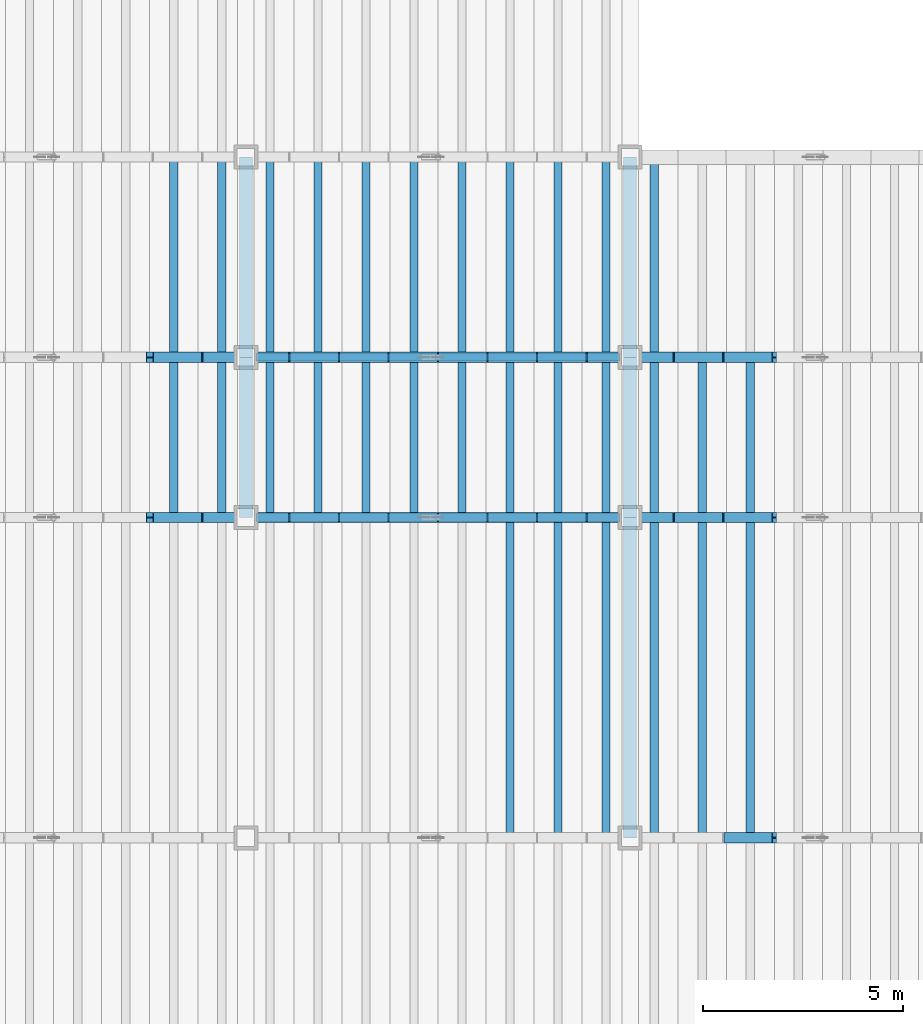
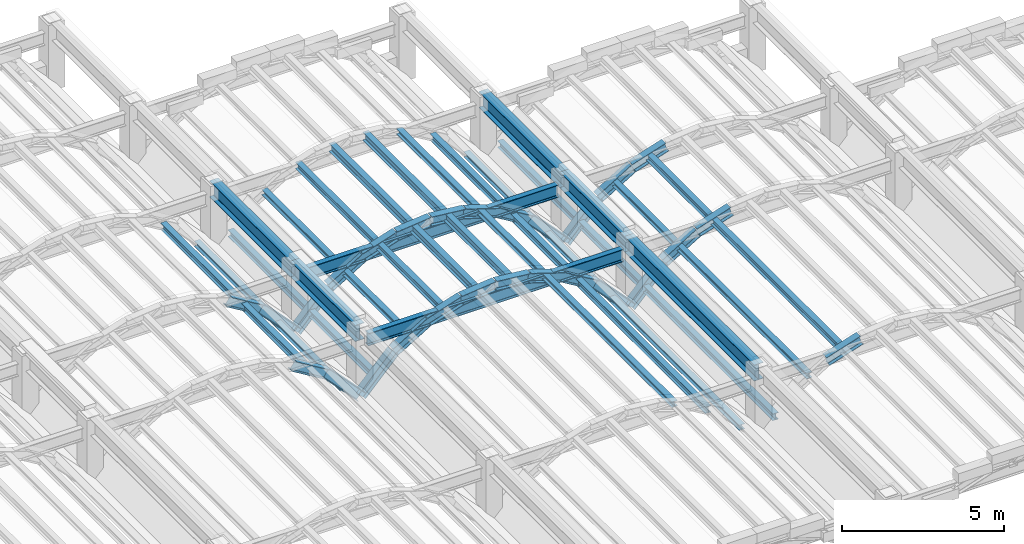
# One storey, part 25 of 70: 57 members, 7 beams.
"""IFC4 building model written with IfcOpenShell, lengths in metres."""

from ifc_helpers import new_model, si_unit, direction, frame, origin, origin_2d, place, context, subcontext, project, spatial, i_section, extrude, material, material_profile, profile_set, type_object, element, save


model = new_model("IFC4")

# Units and contexts
model_context = context("Model", 3, precision=1e-05, world=origin(), true_north=direction((0.0, 1.0)))
body_context = subcontext(model_context, "Body", "Model", "MODEL_VIEW")
ifc_project = project(units=[si_unit("LENGTHUNIT", "METRE"), si_unit("AREAUNIT", "SQUARE_METRE"), si_unit("VOLUMEUNIT", "CUBIC_METRE"), si_unit("PLANEANGLEUNIT", "RADIAN"), si_unit("MASSUNIT", "GRAM", prefix="KILO")], contexts=[model_context])

# Site, building, storey
site_placement = place(None, origin())
site = spatial("IfcSite", under=ifc_project, at=site_placement, CompositionType="ELEMENT")
building_placement = place(site_placement, origin())
building = spatial("IfcBuilding", under=site, at=building_placement, Name="Mavantir Sound Aquarium", CompositionType="ELEMENT")
storey_placement = place(building_placement, frame((0.0, 0.0, 27.0)))
storey = spatial("IfcBuildingStorey", under=building, at=storey_placement, Name="RF", CompositionType="ELEMENT", Elevation=27.0)

# Beams
ifc_material = material(Name="Structural Steel ASTM A992 Gr50", Category="steel")
ifc_material_profile_1 = material_profile(ifc_material, i_section(OverallWidth=0.194091796875, OverallDepth=0.468994140625, WebThickness=0.0126953125, FlangeThickness=0.0205078125, FilletRadius=0.01611328125, at=origin_2d()), Name="W460X106")
ifc_profile_set_1 = profile_set([ifc_material_profile_1], Name="Structural Steel ASTM A992 Gr50")
beam_type_1 = type_object("IfcBeamType", Name="BM-W460X106-I", PredefinedType="BEAM", material=ifc_profile_set_1)
for number, where, z_axis, x_axis, name in (
    (1, (146.64990234375, 56.800048828125, -5.327392578125), (1.0, 0.0, 0.0), (0.0, 1.0, 0.0), "Scalloped bay 5 transverse tie girder 361"),
    (2, (146.64990234375, 60.800048828125, -5.327392578125), (1.0, 0.0, 0.0), (0.0, 1.0, 0.0), "Scalloped bay 5 transverse tie girder 371"),
):
    element("IfcBeam", number, at=place(storey_placement, frame(where, z_axis=z_axis, x_axis=x_axis)), inside=storey, type_object=beam_type_1, Name=name, PredefinedType="BEAM", context=body_context, shape_type="SweptSolid", body=[
        extrude(i_section(OverallWidth=0.194091796875, OverallDepth=0.468994140625, WebThickness=0.0126953125, FlangeThickness=0.0205078125, FilletRadius=0.01611328125, at=origin_2d()), origin(), (0.0, 0.0, 1.0), 9.10009765625),
    ])
ifc_material_profile_2 = material_profile(ifc_material, i_section(OverallWidth=0.323974609375, OverallDepth=0.611083984375, WebThickness=0.0126953125, FlangeThickness=0.01904296875, FilletRadius=0.01904296875, at=origin_2d()), Name="W610X155")
ifc_profile_set_2 = profile_set([ifc_material_profile_2], Name="Structural Steel ASTM A992 Gr50")
beam_type_2 = type_object("IfcBeamType", Name="BM-W610X155-E", PredefinedType="BEAM", material=ifc_profile_set_2)
beam_1_placement = place(storey_placement, frame((146.39990234375, 56.800048828125, -5.0048828125), z_axis=(0.0, 1.0, 0.0), x_axis=(-1.0, 0.0, 0.0)))
element("IfcBeam", 3, at=beam_1_placement, inside=storey, type_object=beam_type_2, Name="Scalloped roof straight ridge beam 36", PredefinedType="BEAM", context=body_context, shape_type="SweptSolid", body=[
    extrude(i_section(OverallWidth=0.323974609375, OverallDepth=0.611083984375, WebThickness=0.0126953125, FlangeThickness=0.01904296875, FilletRadius=0.01904296875, at=origin_2d()), origin(), (0.0, 0.0, 1.0), 4.0),
])
beam_2_placement = place(storey_placement, frame((146.39990234375, 60.800048828125, -5.0048828125), z_axis=(0.0, 1.0, 0.0), x_axis=(-1.0, 0.0, 0.0)))
element("IfcBeam", 4, at=beam_2_placement, inside=storey, type_object=beam_type_2, Name="Scalloped roof straight ridge beam 37", PredefinedType="BEAM", context=body_context, shape_type="SweptSolid", body=[
    extrude(i_section(OverallWidth=0.323974609375, OverallDepth=0.611083984375, WebThickness=0.0126953125, FlangeThickness=0.01904296875, FilletRadius=0.01904296875, at=origin_2d()), origin(), (0.0, 0.0, 1.0), 5.0),
])
beam_3_placement = place(storey_placement, frame((156.0, 48.800048828125, -5.0048828125), z_axis=(0.0, 1.0, 0.0), x_axis=(-1.0, 0.0, 0.0)))
element("IfcBeam", 5, at=beam_3_placement, inside=storey, type_object=beam_type_2, Name="Scalloped roof straight ridge beam 41", PredefinedType="BEAM", context=body_context, shape_type="SweptSolid", body=[
    extrude(i_section(OverallWidth=0.323974609375, OverallDepth=0.611083984375, WebThickness=0.0126953125, FlangeThickness=0.01904296875, FilletRadius=0.01904296875, at=origin_2d()), origin(), (0.0, 0.0, 1.0), 8.0),
])
beam_4_placement = place(storey_placement, frame((156.0, 56.800048828125, -5.0048828125), z_axis=(0.0, 1.0, 0.0), x_axis=(-1.0, 0.0, 0.0)))
element("IfcBeam", 6, at=beam_4_placement, inside=storey, type_object=beam_type_2, Name="Scalloped roof straight ridge beam 42", PredefinedType="BEAM", context=body_context, shape_type="SweptSolid", body=[
    extrude(i_section(OverallWidth=0.323974609375, OverallDepth=0.611083984375, WebThickness=0.0126953125, FlangeThickness=0.01904296875, FilletRadius=0.01904296875, at=origin_2d()), origin(), (0.0, 0.0, 1.0), 4.0),
])
beam_5_placement = place(storey_placement, frame((156.0, 60.800048828125, -5.0048828125), z_axis=(0.0, 1.0, 0.0), x_axis=(-1.0, 0.0, 0.0)))
element("IfcBeam", 7, at=beam_5_placement, inside=storey, type_object=beam_type_2, Name="Scalloped roof straight ridge beam 43", PredefinedType="BEAM", context=body_context, shape_type="SweptSolid", body=[
    extrude(i_section(OverallWidth=0.323974609375, OverallDepth=0.611083984375, WebThickness=0.0126953125, FlangeThickness=0.01904296875, FilletRadius=0.01904296875, at=origin_2d()), origin(), (0.0, 0.0, 1.0), 5.0),
])

# Members
ifc_material_profile_3 = material_profile(ifc_material, i_section(OverallWidth=0.202880859375, OverallDepth=0.202880859375, WebThickness=0.007080078125, FlangeThickness=0.010986328125, FilletRadius=0.010009765625, at=origin_2d()), Name="W200X46")
ifc_profile_set_3 = profile_set([ifc_material_profile_3], Name="Structural Steel ASTM A992 Gr50")
member_type_1 = type_object("IfcMemberType", Name="MEM-TR-W200", PredefinedType="PURLIN", material=ifc_profile_set_3)
member_1_placement = place(storey_placement, frame((145.800048828125, 56.800048828125, -6.881103515625), z_axis=(0.0, 1.0, 0.0), x_axis=(-1.0, 0.0, 0.0)))
element("IfcMember", 8, at=member_1_placement, inside=storey, type_object=member_type_1, Name="Scalloped bay 4 roof purlin 216", PredefinedType="PURLIN", context=body_context, shape_type="SweptSolid", body=[
    extrude(i_section(OverallWidth=0.202880859375, OverallDepth=0.202880859375, WebThickness=0.007080078125, FlangeThickness=0.010986328125, FilletRadius=0.010009765625, at=origin_2d()), origin(), (0.0, 0.0, 1.0), 4.0),
])
member_2_placement = place(storey_placement, frame((145.800048828125, 60.800048828125, -6.881103515625), z_axis=(0.0, 1.0, 0.0), x_axis=(-1.0, 0.0, 0.0)))
element("IfcMember", 9, at=member_2_placement, inside=storey, type_object=member_type_1, Name="Scalloped bay 4 roof purlin 224", PredefinedType="PURLIN", context=body_context, shape_type="SweptSolid", body=[
    extrude(i_section(OverallWidth=0.202880859375, OverallDepth=0.202880859375, WebThickness=0.007080078125, FlangeThickness=0.010986328125, FilletRadius=0.010009765625, at=origin_2d()), origin(), (0.0, 0.0, 1.0), 5.0),
])
for number, where, z_axis, x_axis, name in (
    (10, (153.0, 48.800048828125, -5.169921875), (0.0, 1.0, 0.0), (-1.0, 0.0, 0.0), "Scalloped bay 5 roof purlin 254"),
    (11, (155.39990234375, 48.800048828125, -6.881103515625), (0.0, 1.0, 0.0), (-1.0, 0.0, 0.0), "Scalloped bay 5 roof purlin 256"),
):
    element("IfcMember", number, at=place(storey_placement, frame(where, z_axis=z_axis, x_axis=x_axis)), inside=storey, type_object=member_type_1, Name=name, PredefinedType="PURLIN", context=body_context, shape_type="SweptSolid", body=[
        extrude(i_section(OverallWidth=0.202880859375, OverallDepth=0.202880859375, WebThickness=0.007080078125, FlangeThickness=0.010986328125, FilletRadius=0.010009765625, at=origin_2d()), origin(), (0.0, 0.0, 1.0), 8.0),
    ])
for number, where, z_axis, x_axis, name in (
    (12, (148.199951171875, 56.800048828125, -5.77978515625), (0.0, 1.0, 0.0), (-1.0, 0.0, 0.0), "Scalloped bay 5 roof purlin 258"),
    (13, (153.0, 56.800048828125, -5.169921875), (0.0, 1.0, 0.0), (-1.0, 0.0, 0.0), "Scalloped bay 5 roof purlin 262"),
    (14, (155.39990234375, 56.800048828125, -6.881103515625), (0.0, 1.0, 0.0), (-1.0, 0.0, 0.0), "Scalloped bay 5 roof purlin 264"),
):
    element("IfcMember", number, at=place(storey_placement, frame(where, z_axis=z_axis, x_axis=x_axis)), inside=storey, type_object=member_type_1, Name=name, PredefinedType="PURLIN", context=body_context, shape_type="SweptSolid", body=[
        extrude(i_section(OverallWidth=0.202880859375, OverallDepth=0.202880859375, WebThickness=0.007080078125, FlangeThickness=0.010986328125, FilletRadius=0.010009765625, at=origin_2d()), origin(), (0.0, 0.0, 1.0), 4.0),
    ])
for number, where, z_axis, x_axis, name in (
    (15, (148.199951171875, 60.800048828125, -5.77978515625), (0.0, 1.0, 0.0), (-1.0, 0.0, 0.0), "Scalloped bay 5 roof purlin 266"),
    (16, (153.0, 60.800048828125, -5.169921875), (0.0, 1.0, 0.0), (-1.0, 0.0, 0.0), "Scalloped bay 5 roof purlin 270"),
    (17, (155.39990234375, 60.800048828125, -6.881103515625), (0.0, 1.0, 0.0), (-1.0, 0.0, 0.0), "Scalloped bay 5 roof purlin 272"),
):
    element("IfcMember", number, at=place(storey_placement, frame(where, z_axis=z_axis, x_axis=x_axis)), inside=storey, type_object=member_type_1, Name=name, PredefinedType="PURLIN", context=body_context, shape_type="SweptSolid", body=[
        extrude(i_section(OverallWidth=0.202880859375, OverallDepth=0.202880859375, WebThickness=0.007080078125, FlangeThickness=0.010986328125, FilletRadius=0.010009765625, at=origin_2d()), origin(), (0.0, 0.0, 1.0), 5.0),
    ])
member_3_placement = place(storey_placement, frame((157.800048828125, 48.800048828125, -5.77978515625), z_axis=(0.0, 1.0, 0.0), x_axis=(-1.0, 0.0, 0.0)))
element("IfcMember", 18, at=member_3_placement, inside=storey, type_object=member_type_1, Name="Scalloped bay 6 roof purlin 290", PredefinedType="PURLIN", context=body_context, shape_type="SweptSolid", body=[
    extrude(i_section(OverallWidth=0.202880859375, OverallDepth=0.202880859375, WebThickness=0.007080078125, FlangeThickness=0.010986328125, FilletRadius=0.010009765625, at=origin_2d()), origin(), (0.0, 0.0, 1.0), 8.0),
])
member_4_placement = place(storey_placement, frame((157.800048828125, 56.800048828125, -5.77978515625), z_axis=(0.0, 1.0, 0.0), x_axis=(-1.0, 0.0, 0.0)))
element("IfcMember", 19, at=member_4_placement, inside=storey, type_object=member_type_1, Name="Scalloped bay 6 roof purlin 298", PredefinedType="PURLIN", context=body_context, shape_type="SweptSolid", body=[
    extrude(i_section(OverallWidth=0.202880859375, OverallDepth=0.202880859375, WebThickness=0.007080078125, FlangeThickness=0.010986328125, FilletRadius=0.010009765625, at=origin_2d()), origin(), (0.0, 0.0, 1.0), 4.0),
])
ifc_material_profile_4 = material_profile(ifc_material, i_section(OverallWidth=0.202880859375, OverallDepth=0.251953125, WebThickness=0.008056640625, FlangeThickness=0.013427734375, FilletRadius=0.011962890625, at=origin_2d()), Name="W250X58")
ifc_profile_set_4 = profile_set([ifc_material_profile_4], Name="Structural Steel ASTM A992 Gr50")
member_type_2 = type_object("IfcMemberType", Name="MEM-TR-W250", PredefinedType="PURLIN", material=ifc_profile_set_4)
member_5_placement = place(storey_placement, frame((144.60009765625, 56.800048828125, -5.804443359375), z_axis=(0.0, 1.0, 0.0), x_axis=(-1.0, 0.0, 0.0)))
element("IfcMember", 20, at=member_5_placement, inside=storey, type_object=member_type_2, Name="Scalloped bay 4 roof purlin 215", PredefinedType="PURLIN", context=body_context, shape_type="SweptSolid", body=[
    extrude(i_section(OverallWidth=0.202880859375, OverallDepth=0.251953125, WebThickness=0.008056640625, FlangeThickness=0.013427734375, FilletRadius=0.011962890625, at=origin_2d()), origin(), (0.0, 0.0, 1.0), 4.0),
])
member_6_placement = place(storey_placement, frame((144.60009765625, 60.800048828125, -5.804443359375), z_axis=(0.0, 1.0, 0.0), x_axis=(-1.0, 0.0, 0.0)))
element("IfcMember", 21, at=member_6_placement, inside=storey, type_object=member_type_2, Name="Scalloped bay 4 roof purlin 223", PredefinedType="PURLIN", context=body_context, shape_type="SweptSolid", body=[
    extrude(i_section(OverallWidth=0.202880859375, OverallDepth=0.251953125, WebThickness=0.008056640625, FlangeThickness=0.013427734375, FilletRadius=0.011962890625, at=origin_2d()), origin(), (0.0, 0.0, 1.0), 5.0),
])
member_7_placement = place(storey_placement, frame((154.199951171875, 48.800048828125, -5.804443359375), z_axis=(0.0, 1.0, 0.0), x_axis=(-1.0, 0.0, 0.0)))
element("IfcMember", 22, at=member_7_placement, inside=storey, type_object=member_type_2, Name="Scalloped bay 5 roof purlin 255", PredefinedType="PURLIN", context=body_context, shape_type="SweptSolid", body=[
    extrude(i_section(OverallWidth=0.202880859375, OverallDepth=0.251953125, WebThickness=0.008056640625, FlangeThickness=0.013427734375, FilletRadius=0.011962890625, at=origin_2d()), origin(), (0.0, 0.0, 1.0), 8.0),
])
for number, where, z_axis, x_axis, name in (
    (23, (147.0, 56.800048828125, -6.90576171875), (0.0, 1.0, 0.0), (-1.0, 0.0, 0.0), "Scalloped bay 5 roof purlin 257"),
    (24, (149.39990234375, 56.800048828125, -5.194580078125), (0.0, 1.0, 0.0), (-1.0, 0.0, 0.0), "Scalloped bay 5 roof purlin 259"),
    (25, (154.199951171875, 56.800048828125, -5.804443359375), (0.0, 1.0, 0.0), (-1.0, 0.0, 0.0), "Scalloped bay 5 roof purlin 263"),
):
    element("IfcMember", number, at=place(storey_placement, frame(where, z_axis=z_axis, x_axis=x_axis)), inside=storey, type_object=member_type_2, Name=name, PredefinedType="PURLIN", context=body_context, shape_type="SweptSolid", body=[
        extrude(i_section(OverallWidth=0.202880859375, OverallDepth=0.251953125, WebThickness=0.008056640625, FlangeThickness=0.013427734375, FilletRadius=0.011962890625, at=origin_2d()), origin(), (0.0, 0.0, 1.0), 4.0),
    ])
for number, where, z_axis, x_axis, name in (
    (26, (147.0, 60.800048828125, -6.90576171875), (0.0, 1.0, 0.0), (-1.0, 0.0, 0.0), "Scalloped bay 5 roof purlin 265"),
    (27, (149.39990234375, 60.800048828125, -5.194580078125), (0.0, 1.0, 0.0), (-1.0, 0.0, 0.0), "Scalloped bay 5 roof purlin 267"),
    (28, (154.199951171875, 60.800048828125, -5.804443359375), (0.0, 1.0, 0.0), (-1.0, 0.0, 0.0), "Scalloped bay 5 roof purlin 271"),
):
    element("IfcMember", number, at=place(storey_placement, frame(where, z_axis=z_axis, x_axis=x_axis)), inside=storey, type_object=member_type_2, Name=name, PredefinedType="PURLIN", context=body_context, shape_type="SweptSolid", body=[
        extrude(i_section(OverallWidth=0.202880859375, OverallDepth=0.251953125, WebThickness=0.008056640625, FlangeThickness=0.013427734375, FilletRadius=0.011962890625, at=origin_2d()), origin(), (0.0, 0.0, 1.0), 5.0),
    ])
for number, where, z_axis, x_axis, name in (
    (29, (156.60009765625, 48.800048828125, -6.90576171875), (0.0, 1.0, 0.0), (-1.0, 0.0, 0.0), "Scalloped bay 6 roof purlin 289"),
    (30, (159.0, 48.800048828125, -5.194580078125), (0.0, 1.0, 0.0), (-1.0, 0.0, 0.0), "Scalloped bay 6 roof purlin 291"),
):
    element("IfcMember", number, at=place(storey_placement, frame(where, z_axis=z_axis, x_axis=x_axis)), inside=storey, type_object=member_type_2, Name=name, PredefinedType="PURLIN", context=body_context, shape_type="SweptSolid", body=[
        extrude(i_section(OverallWidth=0.202880859375, OverallDepth=0.251953125, WebThickness=0.008056640625, FlangeThickness=0.013427734375, FilletRadius=0.011962890625, at=origin_2d()), origin(), (0.0, 0.0, 1.0), 8.0),
    ])
for number, where, z_axis, x_axis, name in (
    (31, (156.60009765625, 56.800048828125, -6.90576171875), (0.0, 1.0, 0.0), (-1.0, 0.0, 0.0), "Scalloped bay 6 roof purlin 297"),
    (32, (159.0, 56.800048828125, -5.194580078125), (0.0, 1.0, 0.0), (-1.0, 0.0, 0.0), "Scalloped bay 6 roof purlin 299"),
):
    element("IfcMember", number, at=place(storey_placement, frame(where, z_axis=z_axis, x_axis=x_axis)), inside=storey, type_object=member_type_2, Name=name, PredefinedType="PURLIN", context=body_context, shape_type="SweptSolid", body=[
        extrude(i_section(OverallWidth=0.202880859375, OverallDepth=0.251953125, WebThickness=0.008056640625, FlangeThickness=0.013427734375, FilletRadius=0.011962890625, at=origin_2d()), origin(), (0.0, 0.0, 1.0), 4.0),
    ])
member_8_placement = place(storey_placement, frame((156.60009765625, 60.800048828125, -6.90576171875), z_axis=(0.0, 1.0, 0.0), x_axis=(-1.0, 0.0, 0.0)))
element("IfcMember", 33, at=member_8_placement, inside=storey, type_object=member_type_2, Name="Scalloped bay 6 roof purlin 305", PredefinedType="PURLIN", context=body_context, shape_type="SweptSolid", body=[
    extrude(i_section(OverallWidth=0.202880859375, OverallDepth=0.251953125, WebThickness=0.008056640625, FlangeThickness=0.013427734375, FilletRadius=0.011962890625, at=origin_2d()), origin(), (0.0, 0.0, 1.0), 5.0),
])
ifc_material_profile_5 = material_profile(ifc_material, i_section(OverallWidth=0.205078125, OverallDepth=0.31005859375, WebThickness=0.009521484375, FlangeThickness=0.016357421875, FilletRadius=0.012939453125, at=origin_2d()), Name="W310X74")
ifc_profile_set_5 = profile_set([ifc_material_profile_5], Name="Structural Steel ASTM A992 Gr50")
member_type_3 = type_object("IfcMemberType", Name="MEM-TR-W310", PredefinedType="RAFTER", material=ifc_profile_set_5)
for number, where, z_axis, x_axis, name in (
    (34, (150.60009765625, 56.800048828125, -4.933837890625), (0.0, 1.0, 0.0), (-1.0, 0.0, 0.0), "Scalloped bay 5 roof purlin 260"),
    (35, (151.800048828125, 56.800048828125, -4.933837890625), (0.0, 1.0, 0.0), (-1.0, 0.0, 0.0), "Scalloped bay 5 roof purlin 261"),
):
    element("IfcMember", number, at=place(storey_placement, frame(where, z_axis=z_axis, x_axis=x_axis)), inside=storey, type_object=member_type_3, Name=name, PredefinedType="RAFTER", context=body_context, shape_type="SweptSolid", body=[
        extrude(i_section(OverallWidth=0.205078125, OverallDepth=0.31005859375, WebThickness=0.009521484375, FlangeThickness=0.016357421875, FilletRadius=0.012939453125, at=origin_2d()), origin(), (0.0, 0.0, 1.0), 4.0),
    ])
for number, where, z_axis, x_axis, name in (
    (36, (150.60009765625, 60.800048828125, -4.933837890625), (0.0, 1.0, 0.0), (-1.0, 0.0, 0.0), "Scalloped bay 5 roof purlin 268"),
    (37, (151.800048828125, 60.800048828125, -4.933837890625), (0.0, 1.0, 0.0), (-1.0, 0.0, 0.0), "Scalloped bay 5 roof purlin 269"),
):
    element("IfcMember", number, at=place(storey_placement, frame(where, z_axis=z_axis, x_axis=x_axis)), inside=storey, type_object=member_type_3, Name=name, PredefinedType="RAFTER", context=body_context, shape_type="SweptSolid", body=[
        extrude(i_section(OverallWidth=0.205078125, OverallDepth=0.31005859375, WebThickness=0.009521484375, FlangeThickness=0.016357421875, FilletRadius=0.012939453125, at=origin_2d()), origin(), (0.0, 0.0, 1.0), 5.0),
    ])
ifc_material_profile_6 = material_profile(ifc_material, i_section(OverallWidth=0.25390625, OverallDepth=0.35302734375, WebThickness=0.009521484375, FlangeThickness=0.016357421875, FilletRadius=0.014892578125, at=origin_2d()), Name="W360X91")
ifc_profile_set_6 = profile_set([ifc_material_profile_6], Name="Structural Steel ASTM A992 Gr50")
member_type_4 = type_object("IfcMemberType", Name="MEM-TR-W360", PredefinedType="RAFTER", material=ifc_profile_set_6)
member_9_placement = place(storey_placement, frame((144.0, 56.800048828125, -5.390625), z_axis=(0.856645937356, 0.0, -0.515904776109), x_axis=(0.0, 1.0, 0.0)))
element("IfcMember", 38, at=member_9_placement, inside=storey, type_object=member_type_4, Name="Scalloped bay 4 sagging-arc trough rib 299", PredefinedType="RAFTER", context=body_context, shape_type="SweptSolid", body=[
    extrude(i_section(OverallWidth=0.25390625, OverallDepth=0.35302734375, WebThickness=0.009521484375, FlangeThickness=0.016357421875, FilletRadius=0.014892578125, at=origin_2d()), origin(), (0.0, 0.0, 1.0), 1.400634765625),
])
member_10_placement = place(storey_placement, frame((145.199951171875, 56.800048828125, -6.11328125), z_axis=(0.688727365252, 0.0, -0.725020424784), x_axis=(0.0, 1.0, 0.0)))
element("IfcMember", 39, at=member_10_placement, inside=storey, type_object=member_type_4, Name="Scalloped bay 4 sagging-arc trough rib 300", PredefinedType="RAFTER", context=body_context, shape_type="SweptSolid", body=[
    extrude(i_section(OverallWidth=0.25390625, OverallDepth=0.35302734375, WebThickness=0.009521484375, FlangeThickness=0.016357421875, FilletRadius=0.014892578125, at=origin_2d()), origin(), (0.0, 0.0, 1.0), 1.7421875),
])
member_11_placement = place(storey_placement, frame((144.0, 60.800048828125, -5.390625), z_axis=(0.856645937356, 0.0, -0.515904776109), x_axis=(0.0, 1.0, 0.0)))
element("IfcMember", 40, at=member_11_placement, inside=storey, type_object=member_type_4, Name="Scalloped bay 4 sagging-arc trough rib 309", PredefinedType="RAFTER", context=body_context, shape_type="SweptSolid", body=[
    extrude(i_section(OverallWidth=0.25390625, OverallDepth=0.35302734375, WebThickness=0.009521484375, FlangeThickness=0.016357421875, FilletRadius=0.014892578125, at=origin_2d()), origin(), (0.0, 0.0, 1.0), 1.400634765625),
])
member_12_placement = place(storey_placement, frame((145.199951171875, 60.800048828125, -6.11328125), z_axis=(0.688727365252, 0.0, -0.725020424784), x_axis=(0.0, 1.0, 0.0)))
element("IfcMember", 41, at=member_12_placement, inside=storey, type_object=member_type_4, Name="Scalloped bay 4 sagging-arc trough rib 310", PredefinedType="RAFTER", context=body_context, shape_type="SweptSolid", body=[
    extrude(i_section(OverallWidth=0.25390625, OverallDepth=0.35302734375, WebThickness=0.009521484375, FlangeThickness=0.016357421875, FilletRadius=0.014892578125, at=origin_2d()), origin(), (0.0, 0.0, 1.0), 1.7421875),
])
member_13_placement = place(storey_placement, frame((146.39990234375, 56.800048828125, -7.37646484375), z_axis=(0.688801013332, 0.0, 0.724950456261), x_axis=(0.0, 1.0, 0.0)))
element("IfcMember", 42, at=member_13_placement, inside=storey, type_object=member_type_4, Name="Scalloped bay 5 sagging-arc trough rib 362", PredefinedType="RAFTER", context=body_context, shape_type="SweptSolid", body=[
    extrude(i_section(OverallWidth=0.25390625, OverallDepth=0.35302734375, WebThickness=0.009521484375, FlangeThickness=0.016357421875, FilletRadius=0.014892578125, at=origin_2d()), origin(), (0.0, 0.0, 1.0), 1.742431640625),
])
member_14_placement = place(storey_placement, frame((147.60009765625, 56.800048828125, -6.11328125), z_axis=(0.856645937356, 0.0, 0.515904776109), x_axis=(0.0, 1.0, 0.0)))
element("IfcMember", 43, at=member_14_placement, inside=storey, type_object=member_type_4, Name="Scalloped bay 5 sagging-arc trough rib 363", PredefinedType="RAFTER", context=body_context, shape_type="SweptSolid", body=[
    extrude(i_section(OverallWidth=0.25390625, OverallDepth=0.35302734375, WebThickness=0.009521484375, FlangeThickness=0.016357421875, FilletRadius=0.014892578125, at=origin_2d()), origin(), (0.0, 0.0, 1.0), 1.400634765625),
])
member_15_placement = place(storey_placement, frame((148.800048828125, 56.800048828125, -5.390625), z_axis=(0.951055396379, 0.0, 0.309020441102), x_axis=(0.0, 1.0, 0.0)))
element("IfcMember", 44, at=member_15_placement, inside=storey, type_object=member_type_4, Name="Scalloped bay 5 sagging-arc trough rib 364", PredefinedType="RAFTER", context=body_context, shape_type="SweptSolid", body=[
    extrude(i_section(OverallWidth=0.25390625, OverallDepth=0.35302734375, WebThickness=0.009521484375, FlangeThickness=0.016357421875, FilletRadius=0.014892578125, at=origin_2d()), origin(), (0.0, 0.0, 1.0), 1.26171875),
])
for number, where, z_axis, x_axis, name in (
    (45, (150.0, 56.800048828125, -5.000732421875), (0.994680359373, 0.0, 0.103009624196), (0.0, 1.0, 0.0), "Scalloped bay 5 sagging-arc trough rib 365"),
    (46, (151.199951171875, 56.800048828125, -4.87646484375), (0.994680359373, 0.0, -0.103009624196), (0.0, 1.0, 0.0), "Scalloped bay 5 sagging-arc trough rib 366"),
):
    element("IfcMember", number, at=place(storey_placement, frame(where, z_axis=z_axis, x_axis=x_axis)), inside=storey, type_object=member_type_4, Name=name, PredefinedType="RAFTER", context=body_context, shape_type="SweptSolid", body=[
        extrude(i_section(OverallWidth=0.25390625, OverallDepth=0.35302734375, WebThickness=0.009521484375, FlangeThickness=0.016357421875, FilletRadius=0.014892578125, at=origin_2d()), origin(), (0.0, 0.0, 1.0), 1.206298828125),
    ])
member_16_placement = place(storey_placement, frame((152.39990234375, 56.800048828125, -5.000732421875), z_axis=(0.951073869353, 0.0, -0.30896358205), x_axis=(0.0, 1.0, 0.0)))
element("IfcMember", 47, at=member_16_placement, inside=storey, type_object=member_type_4, Name="Scalloped bay 5 sagging-arc trough rib 368", PredefinedType="RAFTER", context=body_context, shape_type="SweptSolid", body=[
    extrude(i_section(OverallWidth=0.25390625, OverallDepth=0.35302734375, WebThickness=0.009521484375, FlangeThickness=0.016357421875, FilletRadius=0.014892578125, at=origin_2d()), origin(), (0.0, 0.0, 1.0), 1.261962890625),
])
member_17_placement = place(storey_placement, frame((153.60009765625, 56.800048828125, -5.390625), z_axis=(0.856645937356, 0.0, -0.515904776109), x_axis=(0.0, 1.0, 0.0)))
element("IfcMember", 48, at=member_17_placement, inside=storey, type_object=member_type_4, Name="Scalloped bay 5 sagging-arc trough rib 369", PredefinedType="RAFTER", context=body_context, shape_type="SweptSolid", body=[
    extrude(i_section(OverallWidth=0.25390625, OverallDepth=0.35302734375, WebThickness=0.009521484375, FlangeThickness=0.016357421875, FilletRadius=0.014892578125, at=origin_2d()), origin(), (0.0, 0.0, 1.0), 1.400634765625),
])
member_18_placement = place(storey_placement, frame((154.800048828125, 56.800048828125, -6.11328125), z_axis=(0.688727365252, 0.0, -0.725020424784), x_axis=(0.0, 1.0, 0.0)))
element("IfcMember", 49, at=member_18_placement, inside=storey, type_object=member_type_4, Name="Scalloped bay 5 sagging-arc trough rib 370", PredefinedType="RAFTER", context=body_context, shape_type="SweptSolid", body=[
    extrude(i_section(OverallWidth=0.25390625, OverallDepth=0.35302734375, WebThickness=0.009521484375, FlangeThickness=0.016357421875, FilletRadius=0.014892578125, at=origin_2d()), origin(), (0.0, 0.0, 1.0), 1.7421875),
])
member_19_placement = place(storey_placement, frame((146.39990234375, 60.800048828125, -7.37646484375), z_axis=(0.688801013332, 0.0, 0.724950456261), x_axis=(0.0, 1.0, 0.0)))
element("IfcMember", 50, at=member_19_placement, inside=storey, type_object=member_type_4, Name="Scalloped bay 5 sagging-arc trough rib 372", PredefinedType="RAFTER", context=body_context, shape_type="SweptSolid", body=[
    extrude(i_section(OverallWidth=0.25390625, OverallDepth=0.35302734375, WebThickness=0.009521484375, FlangeThickness=0.016357421875, FilletRadius=0.014892578125, at=origin_2d()), origin(), (0.0, 0.0, 1.0), 1.742431640625),
])
member_20_placement = place(storey_placement, frame((147.60009765625, 60.800048828125, -6.11328125), z_axis=(0.856645937356, 0.0, 0.515904776109), x_axis=(0.0, 1.0, 0.0)))
element("IfcMember", 51, at=member_20_placement, inside=storey, type_object=member_type_4, Name="Scalloped bay 5 sagging-arc trough rib 373", PredefinedType="RAFTER", context=body_context, shape_type="SweptSolid", body=[
    extrude(i_section(OverallWidth=0.25390625, OverallDepth=0.35302734375, WebThickness=0.009521484375, FlangeThickness=0.016357421875, FilletRadius=0.014892578125, at=origin_2d()), origin(), (0.0, 0.0, 1.0), 1.400634765625),
])
member_21_placement = place(storey_placement, frame((148.800048828125, 60.800048828125, -5.390625), z_axis=(0.951055396379, 0.0, 0.309020441102), x_axis=(0.0, 1.0, 0.0)))
element("IfcMember", 52, at=member_21_placement, inside=storey, type_object=member_type_4, Name="Scalloped bay 5 sagging-arc trough rib 374", PredefinedType="RAFTER", context=body_context, shape_type="SweptSolid", body=[
    extrude(i_section(OverallWidth=0.25390625, OverallDepth=0.35302734375, WebThickness=0.009521484375, FlangeThickness=0.016357421875, FilletRadius=0.014892578125, at=origin_2d()), origin(), (0.0, 0.0, 1.0), 1.26171875),
])
for number, where, z_axis, x_axis, name in (
    (53, (150.0, 60.800048828125, -5.000732421875), (0.994680359373, 0.0, 0.103009624196), (0.0, 1.0, 0.0), "Scalloped bay 5 sagging-arc trough rib 375"),
    (54, (151.199951171875, 60.800048828125, -4.87646484375), (0.994680359373, 0.0, -0.103009624196), (0.0, 1.0, 0.0), "Scalloped bay 5 sagging-arc trough rib 376"),
):
    element("IfcMember", number, at=place(storey_placement, frame(where, z_axis=z_axis, x_axis=x_axis)), inside=storey, type_object=member_type_4, Name=name, PredefinedType="RAFTER", context=body_context, shape_type="SweptSolid", body=[
        extrude(i_section(OverallWidth=0.25390625, OverallDepth=0.35302734375, WebThickness=0.009521484375, FlangeThickness=0.016357421875, FilletRadius=0.014892578125, at=origin_2d()), origin(), (0.0, 0.0, 1.0), 1.206298828125),
    ])
member_22_placement = place(storey_placement, frame((152.39990234375, 60.800048828125, -5.000732421875), z_axis=(0.951073869353, 0.0, -0.30896358205), x_axis=(0.0, 1.0, 0.0)))
element("IfcMember", 55, at=member_22_placement, inside=storey, type_object=member_type_4, Name="Scalloped bay 5 sagging-arc trough rib 378", PredefinedType="RAFTER", context=body_context, shape_type="SweptSolid", body=[
    extrude(i_section(OverallWidth=0.25390625, OverallDepth=0.35302734375, WebThickness=0.009521484375, FlangeThickness=0.016357421875, FilletRadius=0.014892578125, at=origin_2d()), origin(), (0.0, 0.0, 1.0), 1.261962890625),
])
member_23_placement = place(storey_placement, frame((153.60009765625, 60.800048828125, -5.390625), z_axis=(0.856645937356, 0.0, -0.515904776109), x_axis=(0.0, 1.0, 0.0)))
element("IfcMember", 56, at=member_23_placement, inside=storey, type_object=member_type_4, Name="Scalloped bay 5 sagging-arc trough rib 379", PredefinedType="RAFTER", context=body_context, shape_type="SweptSolid", body=[
    extrude(i_section(OverallWidth=0.25390625, OverallDepth=0.35302734375, WebThickness=0.009521484375, FlangeThickness=0.016357421875, FilletRadius=0.014892578125, at=origin_2d()), origin(), (0.0, 0.0, 1.0), 1.400634765625),
])
member_24_placement = place(storey_placement, frame((154.800048828125, 60.800048828125, -6.11328125), z_axis=(0.688727365252, 0.0, -0.725020424784), x_axis=(0.0, 1.0, 0.0)))
element("IfcMember", 57, at=member_24_placement, inside=storey, type_object=member_type_4, Name="Scalloped bay 5 sagging-arc trough rib 380", PredefinedType="RAFTER", context=body_context, shape_type="SweptSolid", body=[
    extrude(i_section(OverallWidth=0.25390625, OverallDepth=0.35302734375, WebThickness=0.009521484375, FlangeThickness=0.016357421875, FilletRadius=0.014892578125, at=origin_2d()), origin(), (0.0, 0.0, 1.0), 1.7421875),
])
member_25_placement = place(storey_placement, frame((158.39990234375, 48.800048828125, -5.390625), z_axis=(0.951073869353, 0.0, 0.30896358205), x_axis=(0.0, 1.0, 0.0)))
element("IfcMember", 58, at=member_25_placement, inside=storey, type_object=member_type_4, Name="Scalloped bay 6 sagging-arc trough rib 414", PredefinedType="RAFTER", context=body_context, shape_type="SweptSolid", body=[
    extrude(i_section(OverallWidth=0.25390625, OverallDepth=0.35302734375, WebThickness=0.009521484375, FlangeThickness=0.016357421875, FilletRadius=0.014892578125, at=origin_2d()), origin(), (0.0, 0.0, 1.0), 1.261962890625),
])
member_26_placement = place(storey_placement, frame((156.0, 56.800048828125, -7.37646484375), z_axis=(0.688727365252, 0.0, 0.725020424784), x_axis=(0.0, 1.0, 0.0)))
element("IfcMember", 59, at=member_26_placement, inside=storey, type_object=member_type_4, Name="Scalloped bay 6 sagging-arc trough rib 422", PredefinedType="RAFTER", context=body_context, shape_type="SweptSolid", body=[
    extrude(i_section(OverallWidth=0.25390625, OverallDepth=0.35302734375, WebThickness=0.009521484375, FlangeThickness=0.016357421875, FilletRadius=0.014892578125, at=origin_2d()), origin(), (0.0, 0.0, 1.0), 1.7421875),
])
member_27_placement = place(storey_placement, frame((157.199951171875, 56.800048828125, -6.11328125), z_axis=(0.856645937356, 0.0, 0.515904776109), x_axis=(0.0, 1.0, 0.0)))
element("IfcMember", 60, at=member_27_placement, inside=storey, type_object=member_type_4, Name="Scalloped bay 6 sagging-arc trough rib 423", PredefinedType="RAFTER", context=body_context, shape_type="SweptSolid", body=[
    extrude(i_section(OverallWidth=0.25390625, OverallDepth=0.35302734375, WebThickness=0.009521484375, FlangeThickness=0.016357421875, FilletRadius=0.014892578125, at=origin_2d()), origin(), (0.0, 0.0, 1.0), 1.400634765625),
])
member_28_placement = place(storey_placement, frame((158.39990234375, 56.800048828125, -5.390625), z_axis=(0.951073869353, 0.0, 0.30896358205), x_axis=(0.0, 1.0, 0.0)))
element("IfcMember", 61, at=member_28_placement, inside=storey, type_object=member_type_4, Name="Scalloped bay 6 sagging-arc trough rib 424", PredefinedType="RAFTER", context=body_context, shape_type="SweptSolid", body=[
    extrude(i_section(OverallWidth=0.25390625, OverallDepth=0.35302734375, WebThickness=0.009521484375, FlangeThickness=0.016357421875, FilletRadius=0.014892578125, at=origin_2d()), origin(), (0.0, 0.0, 1.0), 1.261962890625),
])
member_29_placement = place(storey_placement, frame((156.0, 60.800048828125, -7.37646484375), z_axis=(0.688727365252, 0.0, 0.725020424784), x_axis=(0.0, 1.0, 0.0)))
element("IfcMember", 62, at=member_29_placement, inside=storey, type_object=member_type_4, Name="Scalloped bay 6 sagging-arc trough rib 432", PredefinedType="RAFTER", context=body_context, shape_type="SweptSolid", body=[
    extrude(i_section(OverallWidth=0.25390625, OverallDepth=0.35302734375, WebThickness=0.009521484375, FlangeThickness=0.016357421875, FilletRadius=0.014892578125, at=origin_2d()), origin(), (0.0, 0.0, 1.0), 1.7421875),
])
member_30_placement = place(storey_placement, frame((157.199951171875, 60.800048828125, -6.11328125), z_axis=(0.856645937356, 0.0, 0.515904776109), x_axis=(0.0, 1.0, 0.0)))
element("IfcMember", 63, at=member_30_placement, inside=storey, type_object=member_type_4, Name="Scalloped bay 6 sagging-arc trough rib 433", PredefinedType="RAFTER", context=body_context, shape_type="SweptSolid", body=[
    extrude(i_section(OverallWidth=0.25390625, OverallDepth=0.35302734375, WebThickness=0.009521484375, FlangeThickness=0.016357421875, FilletRadius=0.014892578125, at=origin_2d()), origin(), (0.0, 0.0, 1.0), 1.400634765625),
])
member_31_placement = place(storey_placement, frame((158.39990234375, 60.800048828125, -5.390625), z_axis=(0.951073869353, 0.0, 0.30896358205), x_axis=(0.0, 1.0, 0.0)))
element("IfcMember", 64, at=member_31_placement, inside=storey, type_object=member_type_4, Name="Scalloped bay 6 sagging-arc trough rib 434", PredefinedType="RAFTER", context=body_context, shape_type="SweptSolid", body=[
    extrude(i_section(OverallWidth=0.25390625, OverallDepth=0.35302734375, WebThickness=0.009521484375, FlangeThickness=0.016357421875, FilletRadius=0.014892578125, at=origin_2d()), origin(), (0.0, 0.0, 1.0), 1.261962890625),
])

save(model, "model.ifc")
